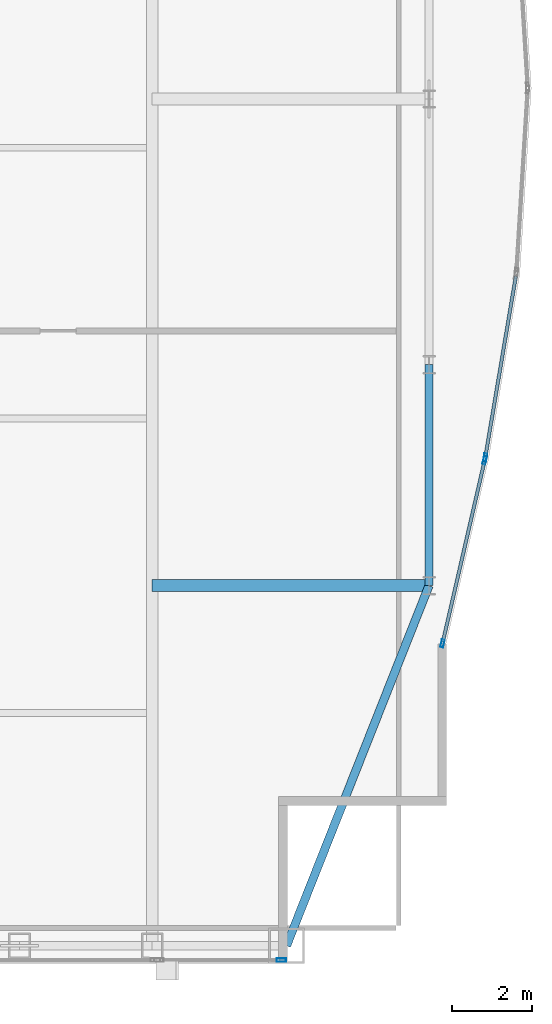
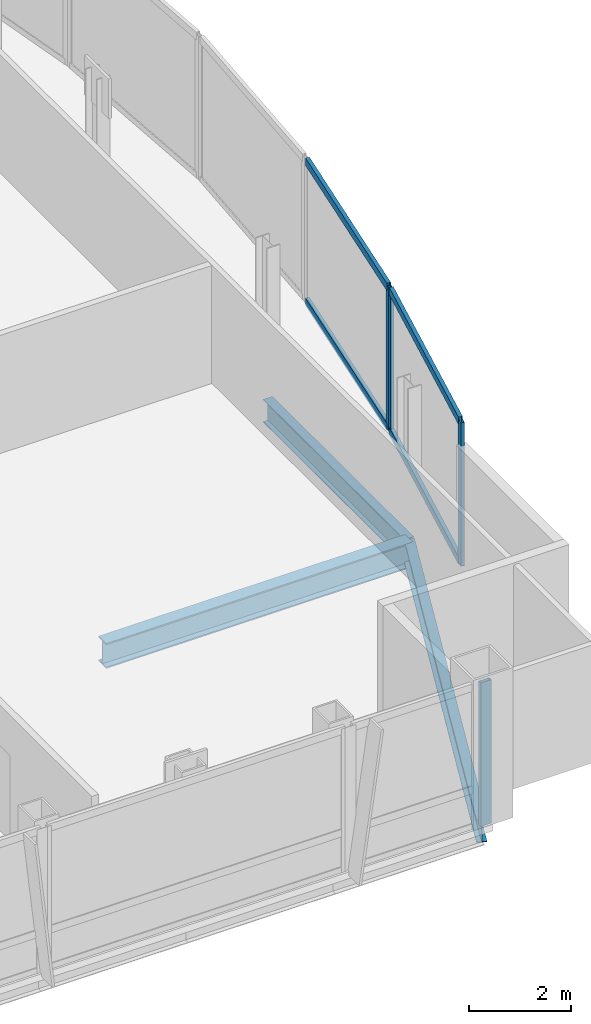
# One storey, part 16 of 29: 8 members, 3 beams, 3 elements without a shape of their own.
"""IFC4 building model written with IfcOpenShell, lengths in metres."""

from ifc_helpers import new_model, si_unit, direction, frame, origin, origin_2d, place, context, subcontext, project, spatial, hollow_rectangle, i_section, extrude, material, material_profile, profile_set, type_object, element, aggregate, save


model = new_model("IFC4")

# Units and contexts
model_context = context("Model", 3, precision=1e-05, world=origin(), true_north=direction((0.0, 1.0)))
body_context = subcontext(model_context, "Body", "Model", "MODEL_VIEW")
ifc_project = project(units=[si_unit("LENGTHUNIT", "METRE"), si_unit("AREAUNIT", "SQUARE_METRE"), si_unit("VOLUMEUNIT", "CUBIC_METRE"), si_unit("PLANEANGLEUNIT", "RADIAN"), si_unit("MASSUNIT", "GRAM", prefix="KILO")], contexts=[model_context])

# Site, building, storey
site_placement = place(None, origin())
site = spatial("IfcSite", under=ifc_project, at=site_placement, CompositionType="ELEMENT")
building_placement = place(site_placement, origin())
building = spatial("IfcBuilding", under=site, at=building_placement, Name="Khoronbel Lancet Exchange", CompositionType="ELEMENT")
storey_placement = place(building_placement, frame((0.0, 0.0, 321.800048828125)))
storey = spatial("IfcBuildingStorey", under=building, at=storey_placement, Name="L83", CompositionType="ELEMENT", Elevation=321.800048828125)

# Beams
ifc_material_1 = material(Name="Steel S355", Category="steel")
ifc_material_profile_1 = material_profile(ifc_material_1, i_section(OverallWidth=0.300048828125, OverallDepth=0.60009765625, WebThickness=0.015380859375, FlangeThickness=0.030029296875, at=origin_2d()), Name="HEB 600")
ifc_profile_set_1 = profile_set([ifc_material_profile_1], Name="Steel S355")
beam_type_1 = type_object("IfcBeamType", Name="BM-BG5", PredefinedType="BEAM", material=ifc_profile_set_1)
beam_1_placement = place(storey_placement, frame((54.675048828125, 19.199951171875, -0.4599609375), z_axis=(1.0, 0.0, 0.0), x_axis=(0.0, 1.0, 0.0)))
element("IfcBeam", 1, at=beam_1_placement, inside=storey, type_object=beam_type_1, Name="Level L83 east lens tie girder LG1E", PredefinedType="BEAM", context=body_context, shape_type="SweptSolid", body=[
    extrude(i_section(OverallWidth=0.300048828125, OverallDepth=0.60009765625, WebThickness=0.015380859375, FlangeThickness=0.030029296875, at=origin_2d()), origin(), (0.0, 0.0, 1.0), 6.954833984375),
])
ifc_material_profile_2 = material_profile(ifc_material_1, i_section(OverallWidth=0.2099609375, OverallDepth=0.550048828125, WebThickness=0.010986328125, FlangeThickness=0.01708984375, at=origin_2d()), Name="IPE 550")
ifc_profile_set_2 = profile_set([ifc_material_profile_2], Name="Steel S355")
beam_type_2 = type_object("IfcBeamType", Name="BM-BSP3", PredefinedType="SPANDREL", material=ifc_profile_set_2)
beam_2_placement = place(storey_placement, frame((58.050048828125, 10.14990234375, -0.43505859375), z_axis=(0.367828403855, 0.929893684954, 0.0), x_axis=(-0.929893684954, 0.367828403855, 0.0)))
element("IfcBeam", 2, at=beam_2_placement, inside=storey, type_object=beam_type_2, Name="Level L83 perimeter spandrel beam SP08", PredefinedType="SPANDREL", context=body_context, shape_type="SweptSolid", body=[
    extrude(i_section(OverallWidth=0.2099609375, OverallDepth=0.550048828125, WebThickness=0.010986328125, FlangeThickness=0.01708984375, at=origin_2d()), origin(), (0.0, 0.0, 1.0), 9.732421875),
])
beam_3_placement = place(storey_placement, frame((61.6298828125, 19.199951171875, -0.43505859375), z_axis=(0.0, 1.0, 0.0), x_axis=(-1.0, 0.0, 0.0)))
element("IfcBeam", 3, at=beam_3_placement, inside=storey, type_object=beam_type_2, Name="Level L83 perimeter spandrel beam SP09", PredefinedType="SPANDREL", context=body_context, shape_type="SweptSolid", body=[
    extrude(i_section(OverallWidth=0.2099609375, OverallDepth=0.550048828125, WebThickness=0.010986328125, FlangeThickness=0.01708984375, at=origin_2d()), origin(), (0.0, 0.0, 1.0), 5.550048828125),
])

# Curtain wall, member
ifc_material_2 = material(Name="Low-E Solar Control Insulating Glass", Category="glass")
curtain_wall_type_1 = type_object("IfcCurtainWallType", Name="CW-3", PredefinedType="NOTDEFINED", material=ifc_material_2)
curtain_wall_1_placement = place(storey_placement, origin())
curtain_wall_1 = element("IfcCurtainWall", 4, at=curtain_wall_1_placement, inside=storey, type_object=curtain_wall_type_1, Name="Unitised curtain wall CW-L83-SEV", PredefinedType="NOTDEFINED")
ifc_material_3 = material(Name="Bronze-Anodised Aluminium 6063-T6", Category="aluminium")
ifc_material_profile_3 = material_profile(ifc_material_3, hollow_rectangle(XDim=0.0849609375, YDim=0.239990234375, WallThickness=0.006103515625, at=origin_2d()), Name="ALU MULLION 85x240")
ifc_profile_set_3 = profile_set([ifc_material_profile_3], Name="Bronze-Anodised Aluminium 6063-T6")
member_type_1 = type_object("IfcMemberType", Name="MEM-CWM1", PredefinedType="MULLION", material=ifc_profile_set_3)
member_1_placement = place(storey_placement, frame((57.91748046875, 9.7900390625, 0.0), z_axis=(0.0, 0.0, 1.0), x_axis=(0.0, 1.0, 0.0)))
member_1 = element("IfcMember", 5, at=member_1_placement, type_object=member_type_1, Name="CW3 mullion 2", PredefinedType="MULLION", context=body_context, shape_type="SweptSolid", body=[
    extrude(hollow_rectangle(XDim=0.0849609375, YDim=0.239990234375, WallThickness=0.006103515625, at=origin_2d()), origin(), (0.0, 0.0, 1.0), 3.43994140625),
])
aggregate(curtain_wall_1, [member_1])

curtain_wall_type_2 = type_object("IfcCurtainWallType", Name="CW-4", PredefinedType="NOTDEFINED", material=ifc_material_2)
curtain_wall_2_placement = place(storey_placement, origin())
curtain_wall_2 = element("IfcCurtainWall", 6, at=curtain_wall_2_placement, inside=storey, type_object=curtain_wall_type_2, Name="Unitised curtain wall CW-L83-E21", PredefinedType="NOTDEFINED")
ifc_material_profile_4 = material_profile(ifc_material_3, hollow_rectangle(XDim=0.074951171875, YDim=0.199951171875, WallThickness=0.0048828125, at=origin_2d()), Name="ALU MULLION 75x200")
ifc_profile_set_4 = profile_set([ifc_material_profile_4], Name="Bronze-Anodised Aluminium 6063-T6")
member_type_2 = type_object("IfcMemberType", Name="MEM-CWM2", PredefinedType="MULLION", material=ifc_profile_set_4)
member_2_placement = place(storey_placement, frame((63.04296875, 22.42138671875, 0.0), z_axis=(0.0, 0.0, 1.0), x_axis=(0.986074631142, -0.166303402909, 0.0)))
member_2 = element("IfcMember", 7, at=member_2_placement, type_object=member_type_2, Name="CW4 mullion 2", PredefinedType="MULLION", context=body_context, shape_type="SweptSolid", body=[
    extrude(hollow_rectangle(XDim=0.074951171875, YDim=0.199951171875, WallThickness=0.0048828125, at=origin_2d()), origin(), (0.0, 0.0, 1.0), 3.43994140625),
])

# Curtain wall, members
curtain_wall_3_placement = place(storey_placement, origin())
curtain_wall_3 = element("IfcCurtainWall", 8, at=curtain_wall_3_placement, inside=storey, type_object=curtain_wall_type_2, Name="Unitised curtain wall CW-L83-E22", PredefinedType="NOTDEFINED")
member_3_placement = place(storey_placement, frame((63.0283203125, 22.34765625, 0.0), z_axis=(0.0, 0.0, 1.0), x_axis=(0.974479667701, -0.224475783189, 0.0)))
member_3 = element("IfcMember", 9, at=member_3_placement, type_object=member_type_2, Name="CW4 mullion 1", PredefinedType="MULLION", context=body_context, shape_type="SweptSolid", body=[
    extrude(hollow_rectangle(XDim=0.074951171875, YDim=0.199951171875, WallThickness=0.0048828125, at=origin_2d()), origin(), (0.0, 0.0, 1.0), 3.43994140625),
])
member_4_placement = place(storey_placement, frame((61.968505859375, 17.746826171875, 0.0), z_axis=(0.0, 0.0, 1.0), x_axis=(0.974479667701, -0.224475783189, 0.0)))
member_4 = element("IfcMember", 10, at=member_4_placement, type_object=member_type_2, Name="CW4 mullion 2", PredefinedType="MULLION", context=body_context, shape_type="SweptSolid", body=[
    extrude(hollow_rectangle(XDim=0.074951171875, YDim=0.199951171875, WallThickness=0.0048828125, at=origin_2d()), origin(), (0.0, 0.0, 1.0), 3.43994140625),
])

# Member
ifc_material_profile_5 = material_profile(ifc_material_3, hollow_rectangle(XDim=0.0849609375, YDim=0.179931640625, WallThickness=0.0048828125, at=origin_2d()), Name="ALU TRANSOM 85x180")
ifc_profile_set_5 = profile_set([ifc_material_profile_5], Name="Bronze-Anodised Aluminium 6063-T6")
member_type_3 = type_object("IfcMemberType", Name="MEM-CWT1", PredefinedType="USERDEFINED", material=ifc_profile_set_5)
member_5_placement = place(storey_placement, frame((63.81005859375, 26.9697265625, 0.04248046875), z_axis=(-0.166328346328, -0.986070424061, 0.0), x_axis=(0.986070424061, -0.166328346328, 0.0)))
member_5 = element("IfcMember", 11, at=member_5_placement, type_object=member_type_3, Name="CW4 transom 1.1", ObjectType="TRANSOM", PredefinedType="USERDEFINED", context=body_context, shape_type="SweptSolid", body=[
    extrude(hollow_rectangle(XDim=0.0849609375, YDim=0.179931640625, WallThickness=0.0048828125, at=origin_2d()), origin(), (0.0, 0.0, 1.0), 4.5751953125),
])

member_6_placement = place(storey_placement, frame((63.81005859375, 26.9697265625, 3.3974609375), z_axis=(-0.166328346328, -0.986070424061, 0.0), x_axis=(0.986070424061, -0.166328346328, 0.0)))
member_6 = element("IfcMember", 12, at=member_6_placement, type_object=member_type_3, Name="CW4 transom 1.2", ObjectType="TRANSOM", PredefinedType="USERDEFINED", context=body_context, shape_type="SweptSolid", body=[
    extrude(hollow_rectangle(XDim=0.0849609375, YDim=0.179931640625, WallThickness=0.0048828125, at=origin_2d()), origin(), (0.0, 0.0, 1.0), 4.5751953125),
])

aggregate(curtain_wall_2, [member_2, member_5, member_6])

member_7_placement = place(storey_placement, frame((63.019775390625, 22.311279296875, 0.04248046875), z_axis=(-0.224456572201, -0.974484092839, 0.0), x_axis=(0.974484092839, -0.224456572201, 0.0)))
member_7 = element("IfcMember", 13, at=member_7_placement, type_object=member_type_3, Name="CW4 transom 1.1", ObjectType="TRANSOM", PredefinedType="USERDEFINED", context=body_context, shape_type="SweptSolid", body=[
    extrude(hollow_rectangle(XDim=0.0849609375, YDim=0.179931640625, WallThickness=0.0048828125, at=origin_2d()), origin(), (0.0, 0.0, 1.0), 4.646728515625),
])

member_8_placement = place(storey_placement, frame((63.019775390625, 22.311279296875, 3.3974609375), z_axis=(-0.224456572201, -0.974484092839, 0.0), x_axis=(0.974484092839, -0.224456572201, 0.0)))
member_8 = element("IfcMember", 14, at=member_8_placement, type_object=member_type_3, Name="CW4 transom 1.2", ObjectType="TRANSOM", PredefinedType="USERDEFINED", context=body_context, shape_type="SweptSolid", body=[
    extrude(hollow_rectangle(XDim=0.0849609375, YDim=0.179931640625, WallThickness=0.0048828125, at=origin_2d()), origin(), (0.0, 0.0, 1.0), 4.646728515625),
])

aggregate(curtain_wall_3, [member_3, member_4, member_7, member_8])

save(model, "model.ifc")
